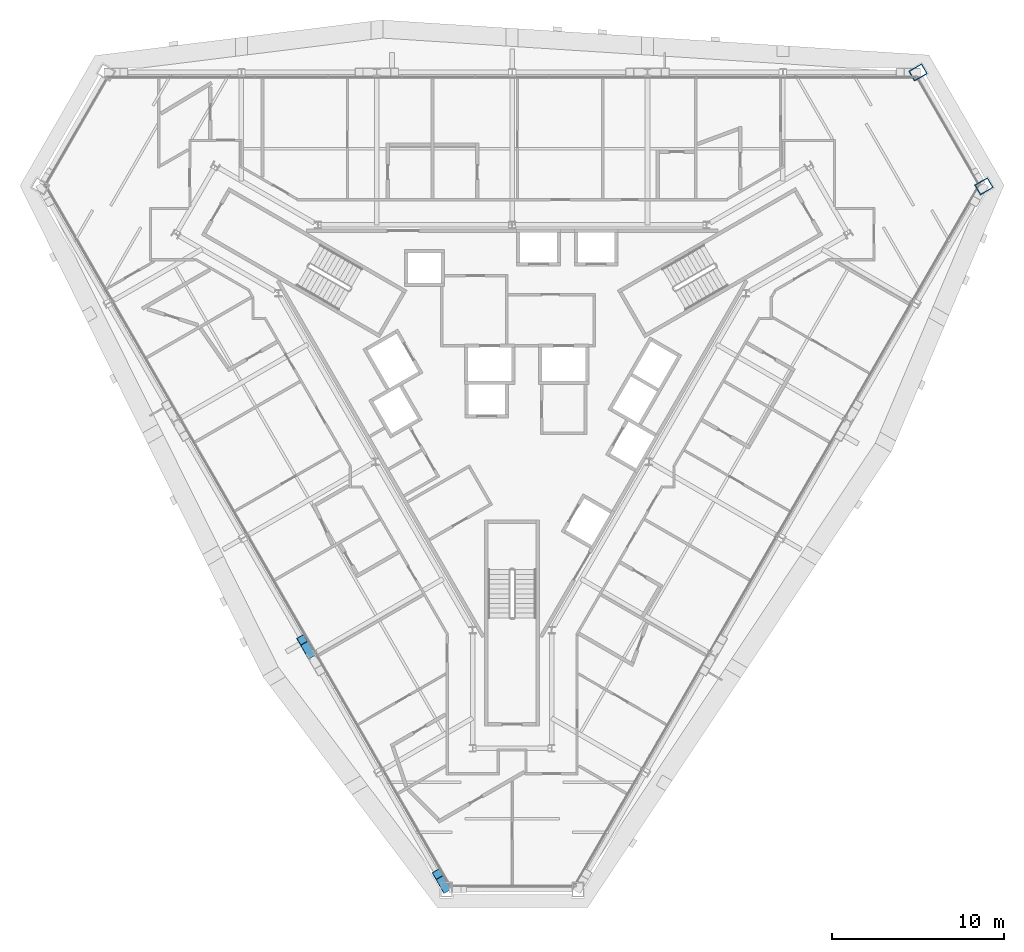
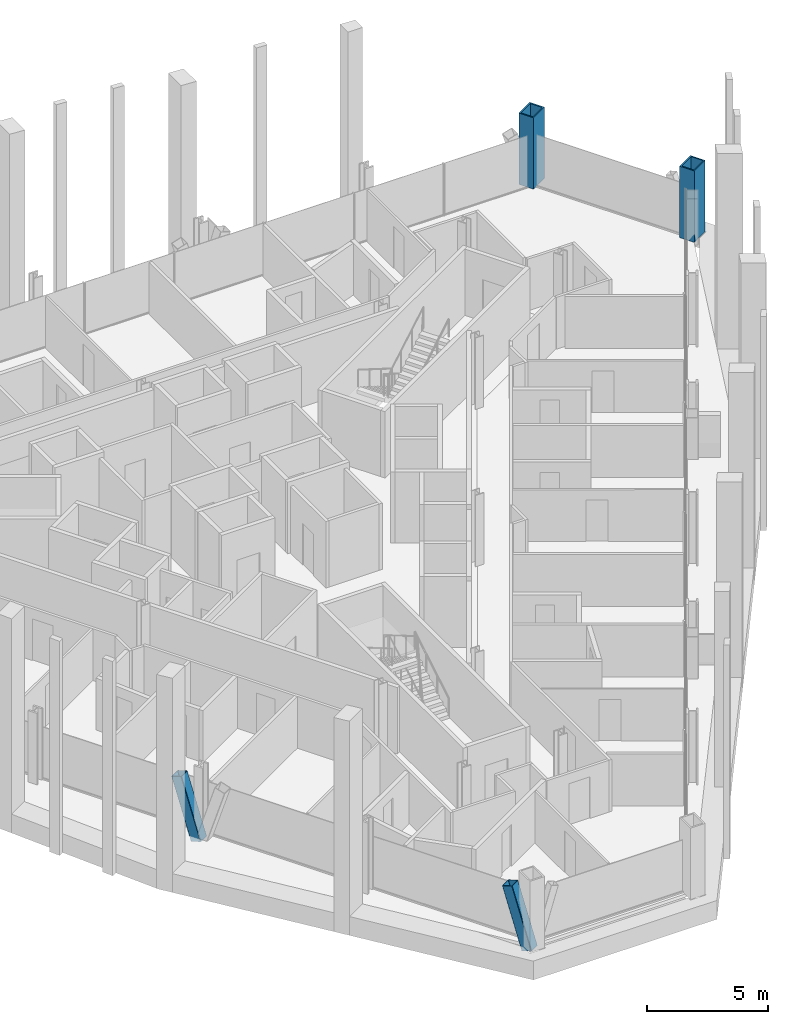
# One storey, part 2 of 17: 2 columns, 2 members.
"""IFC4 building model written with IfcOpenShell, lengths in metres."""

from ifc_helpers import new_model, si_unit, direction, frame, origin, origin_2d, place, context, subcontext, project, spatial, hollow_rectangle, extrude, material, material_profile, profile_set, type_object, element, save


model = new_model("IFC4")

# Units and contexts
model_context = context("Model", 3, precision=1e-05, world=origin(), true_north=direction((0.0, 1.0)))
body_context = subcontext(model_context, "Body", "Model", "MODEL_VIEW")
ifc_project = project(units=[si_unit("LENGTHUNIT", "METRE"), si_unit("AREAUNIT", "SQUARE_METRE"), si_unit("VOLUMEUNIT", "CUBIC_METRE"), si_unit("PLANEANGLEUNIT", "RADIAN"), si_unit("MASSUNIT", "GRAM", prefix="KILO")], contexts=[model_context])

# Site, building, storey
site_placement = place(None, origin())
site = spatial("IfcSite", under=ifc_project, at=site_placement, CompositionType="ELEMENT")
building_placement = place(site_placement, origin())
building = spatial("IfcBuilding", under=site, at=building_placement, Name="Verrane Prism Tower", CompositionType="ELEMENT")
storey_placement = place(building_placement, frame((0.0, 0.0, 92.800048828125)))
storey = spatial("IfcBuildingStorey", under=building, at=storey_placement, Name="L21", CompositionType="ELEMENT", Elevation=92.800048828125)

# Columns
ifc_material_1 = material(Name="Steel A572 Grade 50", Category="steel")
ifc_material_profile_1 = material_profile(ifc_material_1, hollow_rectangle(XDim=0.699951171875, YDim=0.89990234375, WallThickness=0.06494140625, at=origin_2d()), Name="BOX 900x700x65")
ifc_profile_set_1 = profile_set([ifc_material_profile_1], Name="Steel A572 Grade 50")
column_type = type_object("IfcColumnType", Name="Megacolumn BOX 900x700x65", PredefinedType="COLUMN", material=ifc_profile_set_1)
for number, where, z_axis, x_axis, name in (
    (1, (23.659912109375, 18.090087890625, 0.0), (0.0, 0.0, 1.0), (0.5, -0.866025403784, 0.0), "Megacolumn MC-NE.b L21"),
    (2, (27.5, 11.449951171875, 0.0), (0.0, 0.0, 1.0), (0.5, -0.866025403784, 0.0), "Megacolumn MC-NE.a L21"),
):
    element("IfcColumn", number, at=place(storey_placement, frame(where, z_axis=z_axis, x_axis=x_axis)), inside=storey, type_object=column_type, Name=name, PredefinedType="COLUMN", context=body_context, shape_type="SweptSolid", body=[
        extrude(hollow_rectangle(XDim=0.699951171875, YDim=0.89990234375, WallThickness=0.06494140625, at=origin_2d()), origin(), (0.0, 0.0, 1.0), 3.599853515625),
    ])

# Members
ifc_material_2 = material(Name="Steel A1085 Grade A", Category="steel")
ifc_material_profile_2 = material_profile(ifc_material_2, hollow_rectangle(XDim=0.508056640625, YDim=0.508056640625, WallThickness=0.025390625, InnerFilletRadius=0.0126953125, OuterFilletRadius=0.0380859375, at=origin_2d()), Name="HSS20x20x1")
ifc_profile_set_2 = profile_set([ifc_material_profile_2], Name="Steel A1085 Grade A")
member_type = type_object("IfcMemberType", Name="Facade brace HSS20x20x1", PredefinedType="BRACE", material=ifc_profile_set_2)
member_1_placement = place(storey_placement, frame((-11.7734375, -15.78759765625, -0.19775390625), z_axis=(-0.149524941277, 0.259035058626, 0.954223836602), x_axis=(-0.866067413802, -0.499927229454, 0.0)))
element("IfcMember", 3, at=member_1_placement, inside=storey, type_object=member_type, Name="Facade brace SW3 L21", PredefinedType="BRACE", context=body_context, shape_type="SweptSolid", body=[
    extrude(hollow_rectangle(XDim=0.508056640625, YDim=0.508056640625, WallThickness=0.025390625, InnerFilletRadius=0.0126953125, OuterFilletRadius=0.0380859375, at=origin_2d()), origin(), (0.0, 0.0, 1.0), 3.10546875),
])
member_2_placement = place(storey_placement, frame((-3.88330078125, -29.447509765625, -0.19775390625), z_axis=(-0.149620062024, 0.258591899105, 0.954329118678), x_axis=(-0.865558385202, -0.500808028896, 0.0)))
element("IfcMember", 4, at=member_2_placement, inside=storey, type_object=member_type, Name="Facade brace SW5 L21", PredefinedType="BRACE", context=body_context, shape_type="SweptSolid", body=[
    extrude(hollow_rectangle(XDim=0.508056640625, YDim=0.508056640625, WallThickness=0.025390625, InnerFilletRadius=0.0126953125, OuterFilletRadius=0.0380859375, at=origin_2d()), origin(), (0.0, 0.0, 1.0), 3.105224609375),
])

save(model, "model.ifc")
